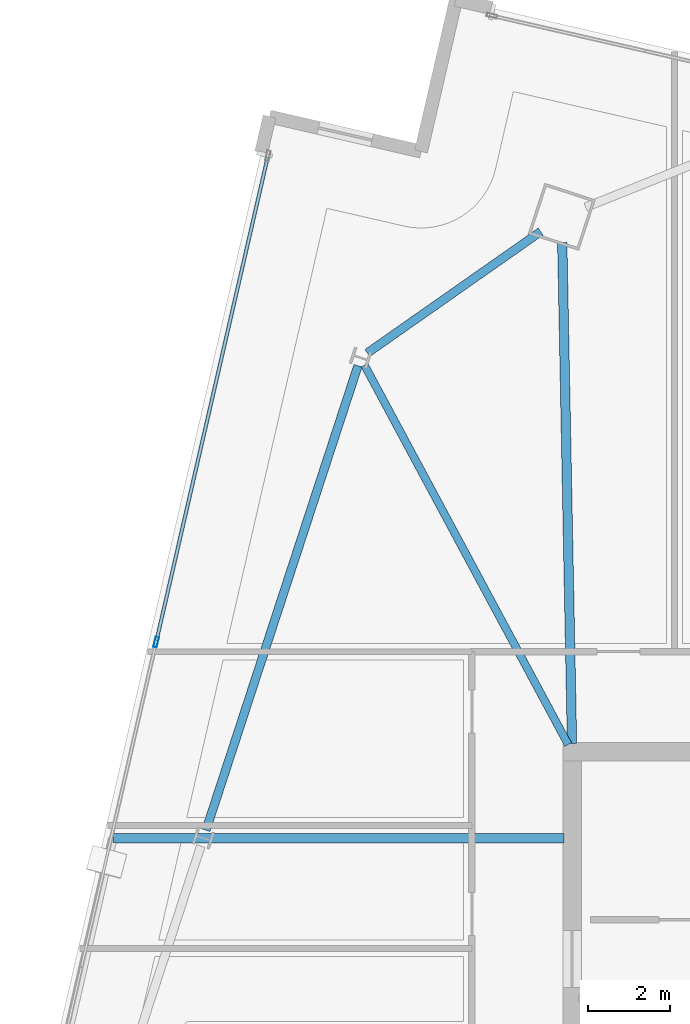
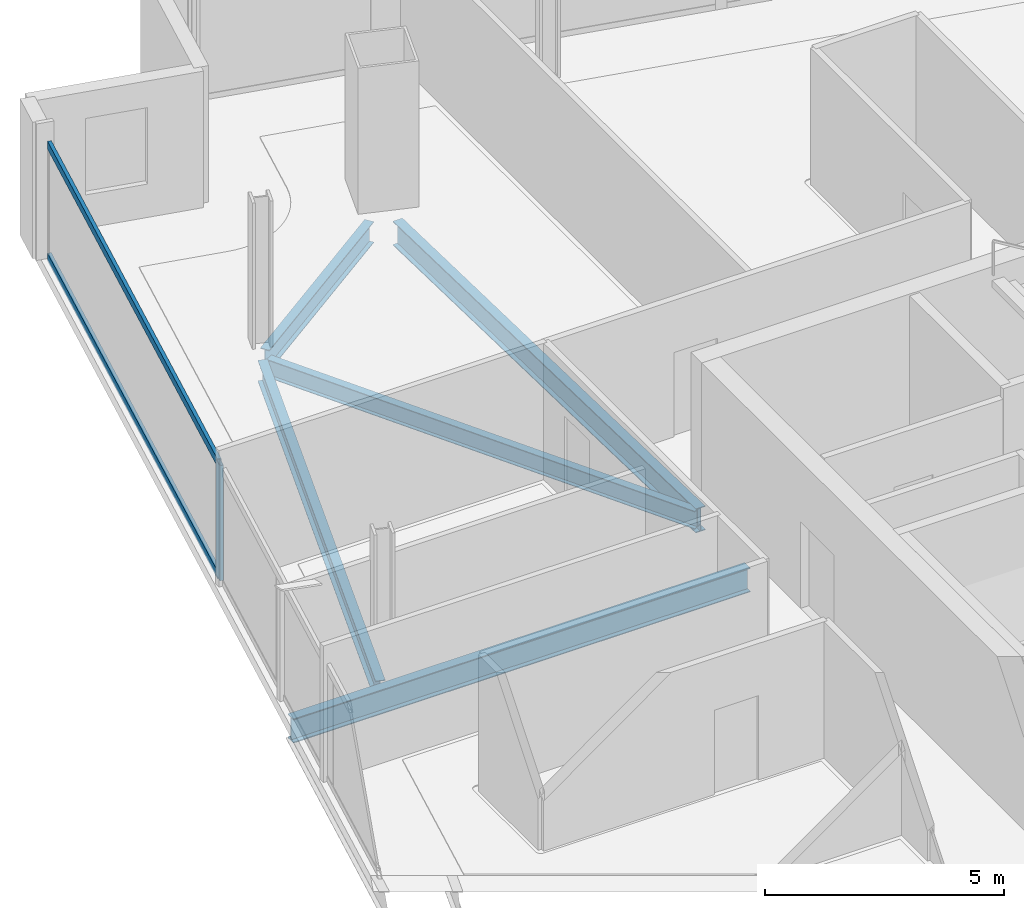
# One storey, part 13 of 28: 5 beams, 3 members, 1 element without a shape of its own.
"""IFC4 building model written with IfcOpenShell, lengths in metres."""

from ifc_helpers import new_model, si_unit, direction, frame, origin, origin_2d, place, context, subcontext, project, spatial, hollow_rectangle, i_section, extrude, material, material_profile, profile_set, type_object, element, aggregate, save


model = new_model("IFC4")

# Units and contexts
model_context = context("Model", 3, precision=1e-05, world=origin(), true_north=direction((0.0, 1.0)))
body_context = subcontext(model_context, "Body", "Model", "MODEL_VIEW")
ifc_project = project(units=[si_unit("LENGTHUNIT", "METRE"), si_unit("AREAUNIT", "SQUARE_METRE"), si_unit("VOLUMEUNIT", "CUBIC_METRE"), si_unit("PLANEANGLEUNIT", "RADIAN"), si_unit("MASSUNIT", "GRAM", prefix="KILO")], contexts=[model_context])

# Site, building, storey
site_placement = place(None, origin())
site = spatial("IfcSite", under=ifc_project, at=site_placement, CompositionType="ELEMENT")
building_placement = place(site_placement, origin())
building = spatial("IfcBuilding", under=site, at=building_placement, Name="Haldenkirk Collegiate Tower", CompositionType="ELEMENT")
storey_placement = place(building_placement, frame((0.0, 0.0, 286.199951171875)))
storey = spatial("IfcBuildingStorey", under=building, at=storey_placement, Name="L72", CompositionType="ELEMENT", Elevation=286.199951171875)

# Beams
ifc_material_1 = material(Name="Steel ASTM A992 Grade 50", Category="steel")
ifc_material_profile_1 = material_profile(ifc_material_1, i_section(OverallWidth=0.22998046875, OverallDepth=0.616943359375, WebThickness=0.01318359375, FlangeThickness=0.022216796875, at=origin_2d()), Name="W24X94")
ifc_profile_set_1 = profile_set([ifc_material_profile_1], Name="Steel ASTM A992 Grade 50")
beam_type_1 = type_object("IfcBeamType", Name="BM-GIRDER-W24X94", PredefinedType="BEAM", material=ifc_profile_set_1)
beam_1_placement = place(storey_placement, frame((26.75732421875, 46.443603515625, -0.578369140625), z_axis=(0.019505953171, -0.999809740796, 0.0), x_axis=(0.999809740796, 0.019505953171, 0.0)))
element("IfcBeam", 1, at=beam_1_placement, inside=storey, type_object=beam_type_1, Name="L72 primary floor girder 03", PredefinedType="BEAM", context=body_context, shape_type="SweptSolid", body=[
    extrude(i_section(OverallWidth=0.22998046875, OverallDepth=0.616943359375, WebThickness=0.01318359375, FlangeThickness=0.022216796875, at=origin_2d()), origin(), (0.0, 0.0, 1.0), 12.240966796875),
])
beam_2_placement = place(storey_placement, frame((15.7763671875, 31.8935546875, -0.578369140625), z_axis=(1.0, 0.0, 0.0), x_axis=(0.0, 1.0, 0.0)))
element("IfcBeam", 2, at=beam_2_placement, inside=storey, type_object=beam_type_1, Name="L72 primary floor girder 12", PredefinedType="BEAM", context=body_context, shape_type="SweptSolid", body=[
    extrude(i_section(OverallWidth=0.22998046875, OverallDepth=0.616943359375, WebThickness=0.01318359375, FlangeThickness=0.022216796875, at=origin_2d()), origin(), (0.0, 0.0, 1.0), 11.0185546875),
])
ifc_material_profile_2 = material_profile(ifc_material_1, i_section(OverallWidth=0.18994140625, OverallDepth=0.45703125, WebThickness=0.009033203125, FlangeThickness=0.014404296875, at=origin_2d()), Name="W18X50")
ifc_profile_set_2 = profile_set([ifc_material_profile_2], Name="Steel ASTM A992 Grade 50")
beam_type_2 = type_object("IfcBeamType", Name="BM-JOIST-W18X50", PredefinedType="JOIST", material=ifc_profile_set_2)
beam_3_placement = place(storey_placement, frame((21.92578125, 43.45068359375, -0.49853515625), z_axis=(0.473049262391, -0.881035978466, 0.0), x_axis=(0.881035978466, 0.473049262391, 0.0)))
element("IfcBeam", 3, at=beam_3_placement, inside=storey, type_object=beam_type_2, Name="L72 composite floor joist 11", PredefinedType="JOIST", context=body_context, shape_type="SweptSolid", body=[
    extrude(i_section(OverallWidth=0.18994140625, OverallDepth=0.45703125, WebThickness=0.009033203125, FlangeThickness=0.014404296875, at=origin_2d()), origin(), (0.0, 0.0, 1.0), 10.521728515625),
])
ifc_material_profile_3 = material_profile(ifc_material_1, i_section(OverallWidth=0.2099609375, OverallDepth=0.537109375, WebThickness=0.010986328125, FlangeThickness=0.017333984375, at=origin_2d()), Name="W21X68")
ifc_profile_set_3 = profile_set([ifc_material_profile_3], Name="Steel ASTM A992 Grade 50")
beam_type_3 = type_object("IfcBeamType", Name="BM-SPANDREL-W21X68", PredefinedType="SPANDREL", material=ifc_profile_set_3)
beam_4_placement = place(storey_placement, frame((26.22900390625, 46.7119140625, -0.538330078125), z_axis=(-0.818927819185, -0.573896529842, 0.0), x_axis=(0.573896529842, -0.818927819185, 0.0)))
element("IfcBeam", 4, at=beam_4_placement, inside=storey, type_object=beam_type_3, Name="L72 perimeter spandrel beam 09", PredefinedType="SPANDREL", context=body_context, shape_type="SweptSolid", body=[
    extrude(i_section(OverallWidth=0.2099609375, OverallDepth=0.537109375, WebThickness=0.010986328125, FlangeThickness=0.017333984375, at=origin_2d()), origin(), (0.0, 0.0, 1.0), 5.169189453125),
])
beam_5_placement = place(storey_placement, frame((21.76708984375, 43.436767578125, -0.538330078125), z_axis=(-0.311010188249, -0.950406577631, 0.0), x_axis=(0.950406577631, -0.311010188249, 0.0)))
element("IfcBeam", 5, at=beam_5_placement, inside=storey, type_object=beam_type_3, Name="L72 perimeter spandrel beam 10", PredefinedType="SPANDREL", context=body_context, shape_type="SweptSolid", body=[
    extrude(i_section(OverallWidth=0.2099609375, OverallDepth=0.537109375, WebThickness=0.010986328125, FlangeThickness=0.017333984375, at=origin_2d()), origin(), (0.0, 0.0, 1.0), 11.94287109375),
])

# Curtain wall, members
ifc_material_2 = material(Name="Anodised architectural bronze aluminium", Category="aluminium")
curtain_wall_type = type_object("IfcCurtainWallType", Name="CW-SYS1B-CONVEX-HI", PredefinedType="USERDEFINED", material=ifc_material_2)
curtain_wall_placement = place(storey_placement, origin())
curtain_wall = element("IfcCurtainWall", 6, at=curtain_wall_placement, inside=storey, type_object=curtain_wall_type, Name="L72 Upper tower high-wind convex bronze unitised curtain wall", ObjectType="UNITISED CURTAIN WALL", PredefinedType="USERDEFINED")
ifc_material_profile_4 = material_profile(ifc_material_2, hollow_rectangle(XDim=0.0849609375, YDim=0.25, WallThickness=0.0048828125, at=origin_2d()), Name="CW-MUL-1B")
ifc_profile_set_4 = profile_set([ifc_material_profile_4], Name="Anodised architectural bronze aluminium")
member_type_1 = type_object("IfcMemberType", Name="CW-MUL-1B", PredefinedType="MULLION", material=ifc_profile_set_4)
member_1_placement = place(storey_placement, frame((16.836669921875, 36.682861328125, 0.0), z_axis=(0.0, 0.0, 1.0), x_axis=(-0.974566006497, 0.224100644756, 0.0)))
member_1 = element("IfcMember", 7, at=member_1_placement, type_object=member_type_1, Name="CW-1B mullion 3", PredefinedType="MULLION", context=body_context, shape_type="SweptSolid", body=[
    extrude(hollow_rectangle(XDim=0.0849609375, YDim=0.25, WallThickness=0.0048828125, at=origin_2d()), origin(), (0.0, 0.0, 1.0), 2.93798828125),
])
ifc_material_profile_5 = material_profile(ifc_material_2, hollow_rectangle(XDim=0.0849609375, YDim=0.199951171875, WallThickness=0.0048828125, at=origin_2d()), Name="CW-TRN-1B")
ifc_profile_set_5 = profile_set([ifc_material_profile_5], Name="Anodised architectural bronze aluminium")
member_type_2 = type_object("IfcMemberType", Name="CW-TRN-1B", PredefinedType="USERDEFINED", material=ifc_profile_set_5)
member_2_placement = place(storey_placement, frame((16.84619140625, 36.724365234375, 0.04248046875), z_axis=(0.224099424355, 0.974566287127, 0.0), x_axis=(-0.974566287127, 0.224099424355, 0.0)))
member_2 = element("IfcMember", 8, at=member_2_placement, type_object=member_type_2, Name="CW-1B transom 3.1", ObjectType="TRANSOM", PredefinedType="USERDEFINED", context=body_context, shape_type="SweptSolid", body=[
    extrude(hollow_rectangle(XDim=0.0849609375, YDim=0.199951171875, WallThickness=0.0048828125, at=origin_2d()), origin(), (0.0, 0.0, 1.0), 12.105712890625),
])
member_3_placement = place(storey_placement, frame((16.84619140625, 36.724365234375, 2.8955078125), z_axis=(0.224099424355, 0.974566287127, 0.0), x_axis=(-0.974566287127, 0.224099424355, 0.0)))
member_3 = element("IfcMember", 9, at=member_3_placement, type_object=member_type_2, Name="CW-1B transom 3.2", ObjectType="TRANSOM", PredefinedType="USERDEFINED", context=body_context, shape_type="SweptSolid", body=[
    extrude(hollow_rectangle(XDim=0.0849609375, YDim=0.199951171875, WallThickness=0.0048828125, at=origin_2d()), origin(), (0.0, 0.0, 1.0), 12.105712890625),
])
aggregate(curtain_wall, [member_1, member_2, member_3])

save(model, "model.ifc")
